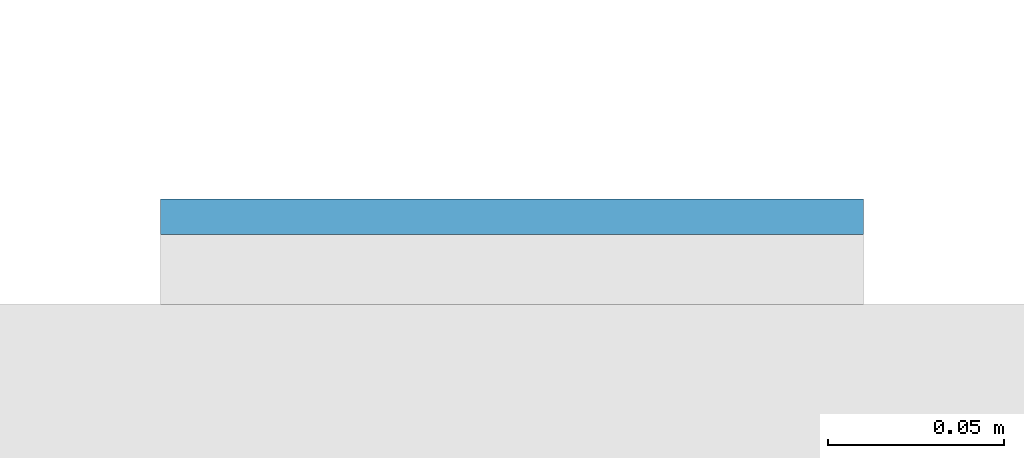
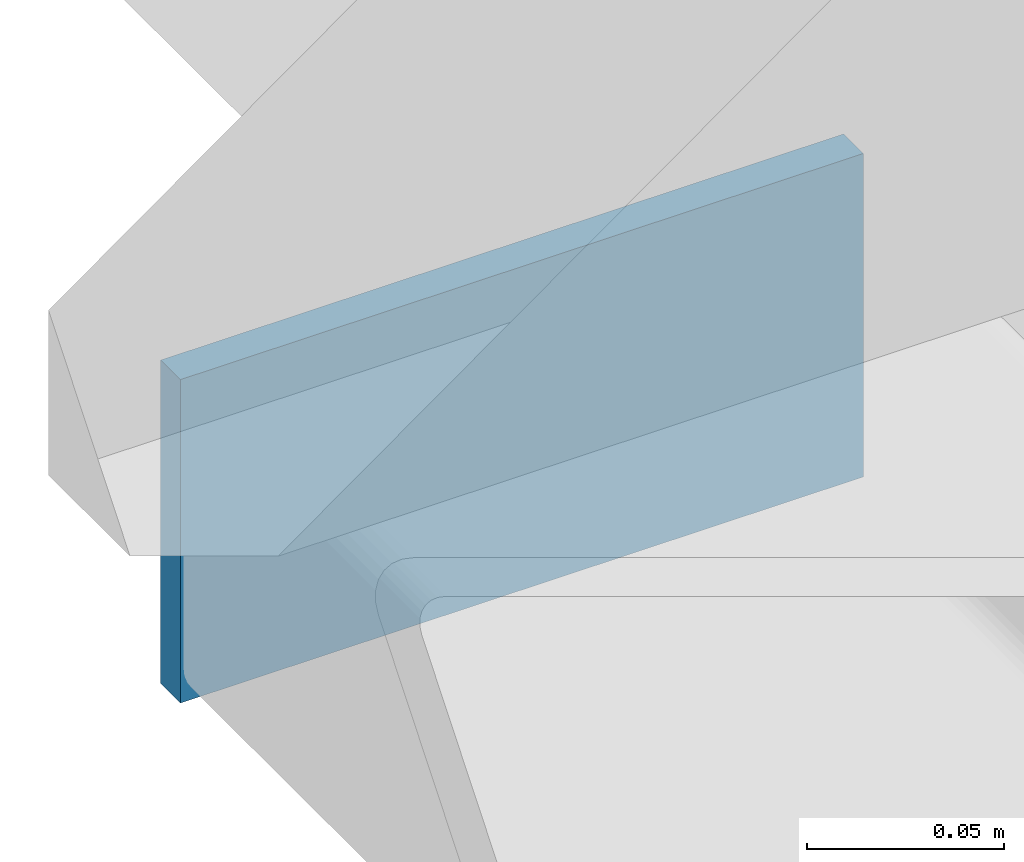
# One storey, part 9 of 21: 1 plate.
"""IFC4 building model written with IfcOpenShell, lengths in metres."""

from ifc_helpers import new_model, si_unit, direction, frame, origin, origin_2d, place, context, subcontext, project, spatial, rectangle, extrude, material, layer, layer_set, type_object, element, save


model = new_model("IFC4")

# Units and contexts
model_context = context("Model", 3, precision=1e-05, world=origin(), true_north=direction((0.0, 1.0)))
body_context = subcontext(model_context, "Body", "Model", "MODEL_VIEW")
ifc_project = project(units=[si_unit("LENGTHUNIT", "METRE"), si_unit("AREAUNIT", "SQUARE_METRE"), si_unit("VOLUMEUNIT", "CUBIC_METRE"), si_unit("PLANEANGLEUNIT", "RADIAN"), si_unit("MASSUNIT", "GRAM", prefix="KILO")], contexts=[model_context])

# Site, building, storey
site_placement = place(None, origin())
site = spatial("IfcSite", under=ifc_project, at=site_placement, CompositionType="ELEMENT")
building_placement = place(site_placement, origin())
building = spatial("IfcBuilding", under=site, at=building_placement, Name="Cleftline Residences", CompositionType="ELEMENT")
storey_placement = place(building_placement, frame((0.0, 0.0, 65.60009765625)))
storey = spatial("IfcBuildingStorey", under=building, at=storey_placement, Name="L16", CompositionType="ELEMENT", Elevation=65.60009765625)

# Plate
ifc_material = material(Name="Steel S355, hot-dip galvanised", Category="steel")
ifc_layer = layer(ifc_material, 0.010009765625)
ifc_layer_set = layer_set([ifc_layer], Name="BAGUETTE CARRIER END PLATE 200X100X10")
plate_type = type_object("IfcPlateType", Name="BAGUETTE CARRIER END PLATE 200X100X10", PredefinedType="USERDEFINED", material=ifc_layer_set)
plate_placement = place(storey_placement, frame((-0.85009765625, 44.304931640625, -0.10009765625), z_axis=(0.0, 0.0, 1.0), x_axis=(-1.0, 0.0, 0.0)))
element("IfcPlate", 1, at=plate_placement, inside=storey, type_object=plate_type, Name="Baguette carrier end plate", ObjectType="BAGUETTE CARRIER END PLATE", PredefinedType="USERDEFINED", context=body_context, shape_type="SweptSolid", body=[
    extrude(rectangle(XDim=0.199951171875, YDim=0.010009765625, at=origin_2d()), origin(), (0.0, 0.0, 1.0), 0.10009765625),
])

save(model, "model.ifc")
